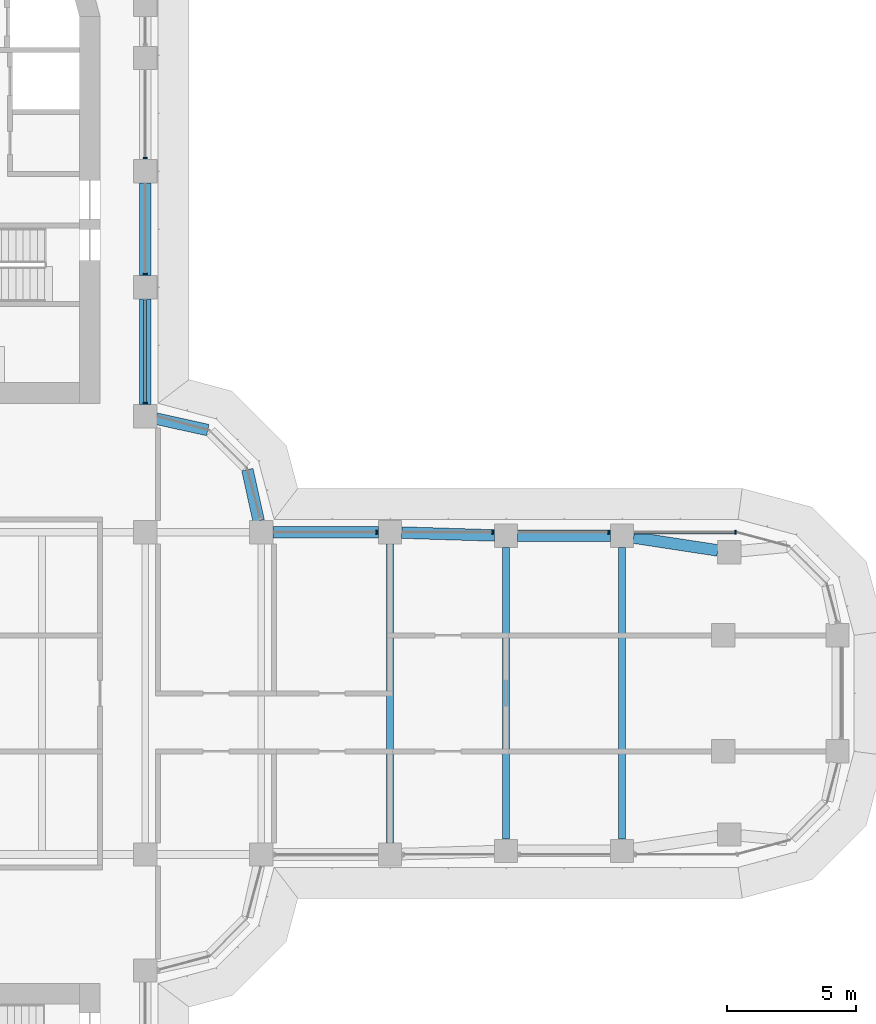
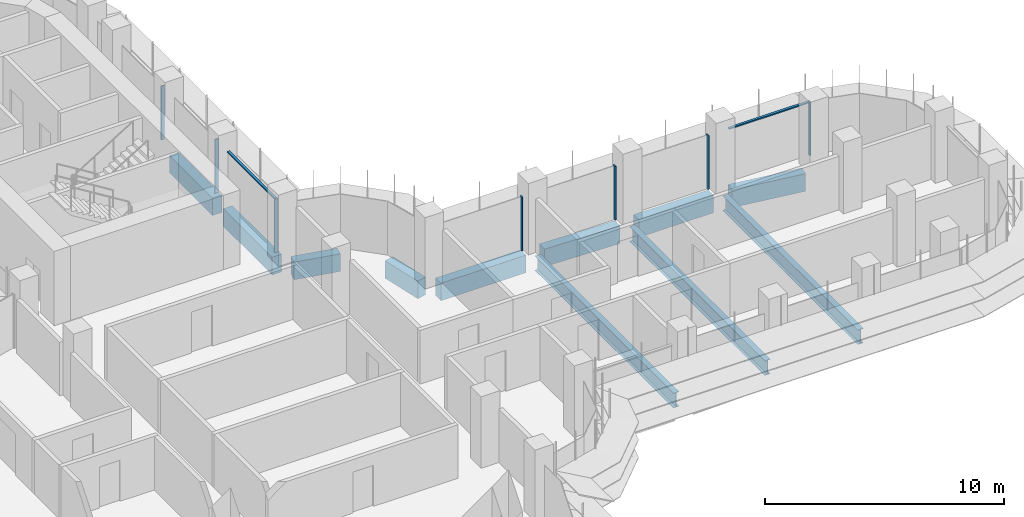
# One storey, part 8 of 22: 11 beams, 9 members, 2 elements without a shape of their own.
"""IFC4 building model written with IfcOpenShell, lengths in metres."""

import ifcopenshell
import ifcopenshell.guid

model = None  # the IFC model being written
_history = None  # IfcOwnerHistory: only IFC2X3 demands one
_inside = {}  # id of a spatial element -> (the spatial element, [elements in it])
_under = {}  # id of a project, library or spatial element -> (it, [spatial elements below it])
_declared = {}  # id of a project -> (the project, [libraries it declares])
_typed = {}  # id of a type object -> (the type object, [elements of that type])
_made_of = {}  # id of a material, layer set ... -> (it, [elements and type objects made of it])


def new_model(schema):
    """Start an empty IFC model of exactly this schema.

    Asked for "IFC4X3", IfcOpenShell would pick the latest addendum, in which some entities
    have other attributes; the version numbers below select the first issue.
    IFC2X3 requires an IfcOwnerHistory on every rooted entity: one is made here for all.
    """
    global model, _history
    if schema == "IFC4X3":
        model = ifcopenshell.file(schema_version=(4, 3, 0, 0))
    else:
        model = ifcopenshell.file(schema=schema)
    _inside.clear()
    _under.clear()
    _declared.clear()
    _typed.clear()
    _made_of.clear()
    _history = None
    if model.schema == "IFC2X3":
        org = make("IfcOrganization", Name="unknown")
        user = make(
            "IfcPersonAndOrganization",
            ThePerson=make("IfcPerson", FamilyName="unknown"),
            TheOrganization=org,
        )
        app = make(
            "IfcApplication",
            ApplicationDeveloper=org,
            Version="unknown",
            ApplicationFullName="unknown",
            ApplicationIdentifier="unknown",
        )
        _history = make(
            "IfcOwnerHistory",
            OwningUser=user,
            OwningApplication=app,
            ChangeAction="ADDED",
            CreationDate=0,
        )
    return model


def make(cls, **values):
    """One entity of the class cls with the attributes given. An attribute that is None is left unset."""
    return model.create_entity(
        cls, **{name: value for name, value in values.items() if value is not None}
    )


def rooted(cls, **values):
    """An entity with a GlobalId (a new one), such as an element, a storey or a relation."""
    return make(cls, GlobalId=ifcopenshell.guid.new(), OwnerHistory=_history, **values)


def si_unit(unit_type, name, prefix=None):
    """IfcSIUnit, for example si_unit("LENGTHUNIT", "METRE", prefix="MILLI")."""
    return make("IfcSIUnit", UnitType=unit_type, Prefix=prefix, Name=name)


def assignment(units):
    """IfcUnitAssignment: the units of a project."""
    return None if units is None else make("IfcUnitAssignment", Units=units)


def point(xyz):
    """IfcCartesianPoint."""
    return None if xyz is None else make("IfcCartesianPoint", Coordinates=xyz)


def direction(xyz):
    """IfcDirection."""
    return None if xyz is None else make("IfcDirection", DirectionRatios=xyz)


def frame(location, z_axis=None, x_axis=None):
    """IfcAxis2Placement3D, a coordinate frame: its origin and axes. An axis left out is left unset."""
    return make(
        "IfcAxis2Placement3D",
        Location=point(location),
        Axis=direction(z_axis),
        RefDirection=direction(x_axis),
    )


def frame_2d(location, x_axis=None):
    """IfcAxis2Placement2D, a coordinate frame in the plane: its origin and x axis."""
    return make(
        "IfcAxis2Placement2D", Location=point(location), RefDirection=direction(x_axis)
    )


def origin():
    """The frame at (0, 0, 0) with its axes left unset."""
    return frame((0.0, 0.0, 0.0))


def origin_2d():
    """The frame at (0, 0) in the plane with its x axis left unset."""
    return frame_2d((0.0, 0.0))


def place(relative_to, where):
    """IfcLocalPlacement: puts the frame where relative to a parent placement (None: the world)."""
    return make(
        "IfcLocalPlacement", PlacementRelTo=relative_to, RelativePlacement=where
    )


def context(
    kind, dimensions, precision=None, world=None, true_north=None, identifier=None
):
    """IfcGeometricRepresentationContext, for example the 3D "Model" context."""
    return make(
        "IfcGeometricRepresentationContext",
        ContextIdentifier=identifier,
        ContextType=kind,
        CoordinateSpaceDimension=dimensions,
        Precision=precision,
        WorldCoordinateSystem=world,
        TrueNorth=true_north,
    )


def subcontext(parent, identifier, kind, view, scale=None):
    """IfcGeometricRepresentationSubContext, for example "Body" below "Model"."""
    return make(
        "IfcGeometricRepresentationSubContext",
        ContextIdentifier=identifier,
        ContextType=kind,
        ParentContext=parent,
        TargetScale=scale,
        TargetView=view,
    )


def project(units=None, contexts=None):
    """IfcProject with its units and contexts."""
    return rooted(
        "IfcProject",
        Name="project",
        RepresentationContexts=contexts,
        UnitsInContext=assignment(units),
    )


def spatial(cls, under=None, at=None, **own):
    """A site, building, storey or space (cls), placed at a placement, below another one or the project."""
    s = rooted(cls, ObjectPlacement=at, **own)
    if under is not None:
        _under.setdefault(under.id(), (under, []))[1].append(s)
    return s


def polyline(points):
    """IfcPolyline through the points."""
    return make("IfcPolyline", Points=[point(p) for p in points])


def profile(cls, at=None, kind="AREA", **sizes):
    """A parametric profile (cls). Its sizes go by their IFC names, for example OverallWidth=200.0."""
    return make(cls, ProfileType=kind, Position=at, **sizes)


def rectangle(**sizes):
    """IfcRectangleProfileDef."""
    return profile("IfcRectangleProfileDef", **sizes)


def i_section(**sizes):
    """IfcIShapeProfileDef."""
    return profile("IfcIShapeProfileDef", **sizes)


def outline(outer, holes=None, kind="AREA"):
    """IfcArbitraryClosedProfileDef: a profile drawn as a closed curve; with holes, ...WithVoids."""
    if holes is None:
        return make("IfcArbitraryClosedProfileDef", ProfileType=kind, OuterCurve=outer)
    return make(
        "IfcArbitraryProfileDefWithVoids",
        ProfileType=kind,
        OuterCurve=outer,
        InnerCurves=holes,
    )


def extrude(swept, where, along, depth):
    """IfcExtrudedAreaSolid: the profile swept, set in the frame where, extruded along a direction by depth."""
    return make(
        "IfcExtrudedAreaSolid",
        SweptArea=swept,
        Position=where,
        ExtrudedDirection=direction(along),
        Depth=depth,
    )


def shape(context_of_items, identifier, shape_type, items):
    """IfcShapeRepresentation: the items that make up one representation, for example the "Body"."""
    return make(
        "IfcShapeRepresentation",
        ContextOfItems=context_of_items,
        RepresentationIdentifier=identifier,
        RepresentationType=shape_type,
        Items=items,
    )


def source(mapping_origin, context_of_items, identifier, shape_type, items):
    """IfcRepresentationMap: a shape defined once, which mapped items show again and again."""
    return make(
        "IfcRepresentationMap",
        MappingOrigin=mapping_origin,
        MappedRepresentation=shape(context_of_items, identifier, shape_type, items),
    )


def transform(
    local_origin,
    x_axis=None,
    y_axis=None,
    z_axis=None,
    scale=None,
    scale2=None,
    scale3=None,
    uniform=True,
):
    """IfcCartesianTransformationOperator3D, or its non-uniform kind. x_axis, y_axis, z_axis: its Axis1, 2, 3."""
    if uniform:
        return make(
            "IfcCartesianTransformationOperator3D",
            Axis1=direction(x_axis),
            Axis2=direction(y_axis),
            LocalOrigin=point(local_origin),
            Scale=scale,
            Axis3=direction(z_axis),
        )
    return make(
        "IfcCartesianTransformationOperator3DnonUniform",
        Axis1=direction(x_axis),
        Axis2=direction(y_axis),
        LocalOrigin=point(local_origin),
        Scale=scale,
        Axis3=direction(z_axis),
        Scale2=scale2,
        Scale3=scale3,
    )


def mapped(mapping_source, mapping_target):
    """IfcMappedItem: shows the shape of a source again, moved by a transform."""
    return make(
        "IfcMappedItem", MappingSource=mapping_source, MappingTarget=mapping_target
    )


def material(Name=None, Category=None):
    """IfcMaterial."""
    return make("IfcMaterial", Name=Name, Category=Category)


def material_profile(
    of_material, cross_section, Name=None, Category=None, Priority=None
):
    """IfcMaterialProfile: a cross section and its material."""
    return make(
        "IfcMaterialProfile",
        Name=Name,
        Material=of_material,
        Profile=cross_section,
        Priority=Priority,
        Category=Category,
    )


def profile_set(profiles, Name=None, composite=None):
    """IfcMaterialProfileSet."""
    return make(
        "IfcMaterialProfileSet",
        Name=Name,
        MaterialProfiles=profiles,
        CompositeProfile=composite,
    )


def made_of(thing, what):
    """Note that an element or type object is made of a material, layer set ...; save() writes the relation."""
    if what is not None:
        _made_of.setdefault(what.id(), (what, []))[1].append(thing)
    return thing


def type_object(cls, material=None, **own):
    """A type object (cls), such as IfcWallType, which elements share."""
    return made_of(rooted(cls, **own), material)


def element(
    cls,
    number,
    at=None,
    inside=None,
    cuts=None,
    type_object=None,
    material=None,
    context=None,
    identifier="Body",
    shape_type=None,
    held_by="IfcProductDefinitionShape",
    body=None,
    shapes=None,
    **own,
):
    """One element of the class cls, such as IfcWall. Its Tag is "e" and its number.

    at: its placement. inside: the storey or other place that contains it. cuts: it is an
    opening in that element (IfcRelVoidsElement). A single representation is given by context,
    identifier, shape_type and body (its items); several are given by shapes. held_by: the class
    of the entity that holds the representations. save() writes the other relations.
    """
    e = rooted(cls, Tag="e%d" % number, ObjectPlacement=at, **own)
    if body is not None:
        shapes = [shape(context, identifier, shape_type, body)]
    if shapes is not None:
        e.Representation = make(held_by, Representations=shapes)
    if inside is not None:
        _inside.setdefault(inside.id(), (inside, []))[1].append(e)
    if cuts is not None:
        rooted(
            "IfcRelVoidsElement", RelatingBuildingElement=cuts, RelatedOpeningElement=e
        )
    if type_object is not None:
        _typed.setdefault(type_object.id(), (type_object, []))[1].append(e)
    return made_of(e, material)


def aggregate(whole, parts):
    """IfcRelAggregates: a whole, such as a stair, and the parts it consists of."""
    return rooted("IfcRelAggregates", RelatingObject=whole, RelatedObjects=parts)


def save(model, path):
    """Write the relations noted so far, then the file.

    IfcRelAggregates (storeys below a building ...), IfcRelContainedInSpatialStructure (elements
    in a storey), IfcRelDefinesByType, IfcRelAssociatesMaterial and IfcRelDeclares: one each for
    every whole, place, type object, material and project.
    """
    for whole, parts in _under.values():
        aggregate(whole, parts)
    for where, things in _inside.values():
        rooted(
            "IfcRelContainedInSpatialStructure",
            RelatedElements=things,
            RelatingStructure=where,
        )
    for kind, things in _typed.values():
        rooted("IfcRelDefinesByType", RelatedObjects=things, RelatingType=kind)
    for what, things in _made_of.values():
        rooted("IfcRelAssociatesMaterial", RelatedObjects=things, RelatingMaterial=what)
    for by, libraries in _declared.values():
        rooted("IfcRelDeclares", RelatingContext=by, RelatedDefinitions=libraries)
    model.write(path)


model = new_model("IFC4")

# Units and contexts
model_context = context("Model", 3, precision=1e-05, world=origin(), true_north=direction((0.0, 1.0)))
body_context = subcontext(model_context, "Body", "Model", "MODEL_VIEW")
ifc_project = project(units=[si_unit("LENGTHUNIT", "METRE"), si_unit("AREAUNIT", "SQUARE_METRE"), si_unit("VOLUMEUNIT", "CUBIC_METRE"), si_unit("PLANEANGLEUNIT", "RADIAN"), si_unit("MASSUNIT", "GRAM", prefix="KILO")], contexts=[model_context])

# Site, building, storey
site_placement = place(None, origin())
site = spatial("IfcSite", under=ifc_project, at=site_placement, CompositionType="ELEMENT")
building_placement = place(site_placement, origin())
building = spatial("IfcBuilding", under=site, at=building_placement, Name="Zarbagh Exchange Tower", CompositionType="ELEMENT")
storey_placement = place(building_placement, frame((0.0, 0.0, 94.199951171875)))
storey = spatial("IfcBuildingStorey", under=building, at=storey_placement, Name="L21", CompositionType="ELEMENT", Elevation=94.199951171875)

# Beams
ifc_material_1 = material(Name="Steel ASTM A992 Gr 50", Category="steel")
ifc_material_profile_1 = material_profile(ifc_material_1, i_section(OverallWidth=0.2666015625, OverallDepth=0.7568359375, WebThickness=0.013916015625, FlangeThickness=0.019287109375, at=origin_2d()), Name="W30X108")
ifc_profile_set_1 = profile_set([ifc_material_profile_1], Name="Steel ASTM A992 Gr 50")
beam_type_1 = type_object("IfcBeamType", Name="Floor beam W30X108", PredefinedType="BEAM", material=ifc_profile_set_1)
beam_1_placement = place(storey_placement, frame((15.75, -5.800048828125, -0.5283203125), z_axis=(0.0, 1.0, 0.0), x_axis=(-1.0, 0.0, 0.0)))
element("IfcBeam", 1, at=beam_1_placement, inside=storey, type_object=beam_type_1, Name="Steel floor beam", PredefinedType="BEAM", context=body_context, shape_type="SweptSolid", body=[
    extrude(i_section(OverallWidth=0.2666015625, OverallDepth=0.7568359375, WebThickness=0.013916015625, FlangeThickness=0.019287109375, at=origin_2d()), origin(), (0.0, 0.0, 1.0), 11.60009765625),
])
for number, where, z_axis, x_axis, name in (
    (2, (20.25, -5.659912109375, -0.5283203125), (0.0, 1.0, 0.0), (-1.0, 0.0, 0.0), "Steel floor beam"),
    (3, (24.75, -5.659912109375, -0.5283203125), (0.0, 1.0, 0.0), (-1.0, 0.0, 0.0), "Steel floor beam"),
):
    element("IfcBeam", number, at=place(storey_placement, frame(where, z_axis=z_axis, x_axis=x_axis)), inside=storey, type_object=beam_type_1, Name=name, PredefinedType="BEAM", context=body_context, shape_type="SweptSolid", body=[
        extrude(i_section(OverallWidth=0.2666015625, OverallDepth=0.7568359375, WebThickness=0.013916015625, FlangeThickness=0.019287109375, at=origin_2d()), origin(), (0.0, 0.0, 1.0), 11.31982421875),
    ])
ifc_material_2 = material(Name="Concrete C60/75", Category="concrete")
ifc_material_profile_2 = material_profile(ifc_material_2, rectangle(XDim=0.449951171875, YDim=0.89990234375, at=origin_2d()), Name="RC spandrel beam 450 x 900 C60/75")
ifc_profile_set_2 = profile_set([ifc_material_profile_2], Name="Concrete C60/75")
beam_type_2 = type_object("IfcBeamType", Name="RC spandrel beam 450 x 900 C60/75", PredefinedType="SPANDREL", material=ifc_profile_set_2)
beam_2_placement = place(storey_placement, frame((6.25, 19.800048828125, -0.599853515625), z_axis=(0.0, -1.0, 0.0), x_axis=(1.0, 0.0, 0.0)))
element("IfcBeam", 4, at=beam_2_placement, inside=storey, type_object=beam_type_2, Name="RC spandrel beam", PredefinedType="SPANDREL", context=body_context, shape_type="SweptSolid", body=[
    extrude(rectangle(XDim=0.449951171875, YDim=0.89990234375, at=origin_2d()), origin(), (0.0, 0.0, 1.0), 3.60009765625),
])
beam_3_placement = place(storey_placement, frame((6.25, 15.300048828125, -0.599853515625), z_axis=(0.0, -1.0, 0.0), x_axis=(1.0, 0.0, 0.0)))
element("IfcBeam", 5, at=beam_3_placement, inside=storey, type_object=beam_type_2, Name="RC spandrel beam", PredefinedType="SPANDREL", context=body_context, shape_type="SweptSolid", body=[
    extrude(rectangle(XDim=0.449951171875, YDim=0.89990234375, at=origin_2d()), origin(), (0.0, 0.0, 1.0), 4.10009765625),
])
for number, where, z_axis, x_axis, name in (
    (6, (6.689453125, 10.65283203125, -0.599853515625), (0.976367325525, -0.216117666208, 0.0), (0.216117666208, 0.976367325525, 0.0), "RC spandrel beam"),
    (7, (10.212890625, 8.677001953125, -0.599853515625), (0.216117666208, -0.976367325525, 0.0), (0.976367325525, 0.216117666208, 0.0), "RC spandrel beam"),
):
    element("IfcBeam", number, at=place(storey_placement, frame(where, z_axis=z_axis, x_axis=x_axis)), inside=storey, type_object=beam_type_2, Name=name, PredefinedType="SPANDREL", context=body_context, shape_type="SweptSolid", body=[
        extrude(rectangle(XDim=0.449951171875, YDim=0.89990234375, at=origin_2d()), origin(), (0.0, 0.0, 1.0), 2.03564453125),
    ])
beam_4_placement = place(storey_placement, frame((11.199951171875, 6.25, -0.599853515625), z_axis=(1.0, 0.0, 0.0), x_axis=(0.0, 1.0, 0.0)))
element("IfcBeam", 8, at=beam_4_placement, inside=storey, type_object=beam_type_2, Name="RC spandrel beam", PredefinedType="SPANDREL", context=body_context, shape_type="SweptSolid", body=[
    extrude(rectangle(XDim=0.449951171875, YDim=0.89990234375, at=origin_2d()), origin(), (0.0, 0.0, 1.0), 4.10009765625),
])
beam_5_placement = place(storey_placement, frame((16.19970703125, 6.236083984375, -0.599853515625), z_axis=(0.999516035224, -0.031107801747, 0.0), x_axis=(0.031107801747, 0.999516035224, 0.0)))
element("IfcBeam", 9, at=beam_5_placement, inside=storey, type_object=beam_type_2, Name="RC spandrel beam", PredefinedType="SPANDREL", context=body_context, shape_type="SweptSolid", body=[
    extrude(rectangle(XDim=0.449951171875, YDim=0.89990234375, at=origin_2d()), origin(), (0.0, 0.0, 1.0), 3.602294921875),
])
beam_6_placement = place(storey_placement, frame((20.699951171875, 6.110107421875, -0.599853515625), z_axis=(1.0, 0.0, 0.0), x_axis=(0.0, 1.0, 0.0)))
element("IfcBeam", 10, at=beam_6_placement, inside=storey, type_object=beam_type_2, Name="RC spandrel beam", PredefinedType="SPANDREL", context=body_context, shape_type="SweptSolid", body=[
    extrude(rectangle(XDim=0.449951171875, YDim=0.89990234375, at=origin_2d()), origin(), (0.0, 0.0, 1.0), 3.60009765625),
])
beam_7_placement = place(storey_placement, frame((25.19482421875, 6.0419921875, -0.599853515625), z_axis=(0.988543505948, -0.150936201252, 0.0), x_axis=(0.150936201252, 0.988543505948, 0.0)))
element("IfcBeam", 11, at=beam_7_placement, inside=storey, type_object=beam_type_2, Name="RC spandrel beam", PredefinedType="SPANDREL", context=body_context, shape_type="SweptSolid", body=[
    extrude(rectangle(XDim=0.449951171875, YDim=0.89990234375, at=origin_2d()), origin(), (0.0, 0.0, 1.0), 3.30615234375),
])

# Curtain wall, members
ifc_material_3 = material(Name="Anodised aluminium frame and glazing", Category="aluminium")
curtain_wall_type = type_object("IfcCurtainWallType", Name="CWA Ribbon glazing, lower zones", PredefinedType="NOTDEFINED", material=ifc_material_3)
curtain_wall_1_placement = place(storey_placement, origin())
curtain_wall_1 = element("IfcCurtainWall", 12, at=curtain_wall_1_placement, inside=storey, type_object=curtain_wall_type, Name="CWA16 curtain wall", PredefinedType="NOTDEFINED")
ifc_material_4 = material(Name="Anodised aluminium frame", Category="aluminium")
member_type_1 = type_object("IfcMemberType", Name="MUA Mullion, anodised aluminium frame", PredefinedType="MULLION", material=ifc_material_4)
shared_shape_1 = source(origin(), body_context, "Body", "SweptSolid", [
    extrude(outline(polyline([(0.0, -0.080078125), (0.06005859375, -0.080078125), (0.06005859375, 0.080078125), (0.0, 0.080078125), (0.0, -0.080078125)])), origin(), (0.0, 0.0, 1.0), 2.75),
])
placement = place(storey_placement, origin())
member_1 = element("IfcMember", 13, at=placement, type_object=member_type_1, Name="CWA16 mullion 1.1", PredefinedType="MULLION", context=body_context, shape_type="MappedRepresentation", body=[
    mapped(shared_shape_1, transform((29.18408203125, 6.25, 0.0), x_axis=(-1.0, 0.0, 0.0), y_axis=(0.0, -1.0, 0.0), z_axis=(0.0, 0.0, 1.0))),
])
member_2 = element("IfcMember", 14, at=placement, type_object=member_type_1, Name="CWA16 mullion 2.1", PredefinedType="MULLION", context=body_context, shape_type="MappedRepresentation", body=[
    mapped(shared_shape_1, transform((24.260009765625, 6.25, 0.0), x_axis=(-1.0, 0.0, 0.0), y_axis=(0.0, -1.0, 0.0), z_axis=(0.0, 0.0, 1.0))),
])
member_3 = element("IfcMember", 15, at=placement, type_object=member_type_1, Name="CWA16 mullion 3.1", PredefinedType="MULLION", context=body_context, shape_type="MappedRepresentation", body=[
    mapped(shared_shape_1, transform((19.760009765625, 6.25, 0.0), x_axis=(-1.0, 0.0, 0.0), y_axis=(0.0, -1.0, 0.0), z_axis=(0.0, 0.0, 1.0))),
])
member_4 = element("IfcMember", 16, at=placement, type_object=member_type_1, Name="CWA16 mullion 4.1", PredefinedType="MULLION", context=body_context, shape_type="MappedRepresentation", body=[
    mapped(shared_shape_1, transform((15.260009765625, 6.25, 0.0), x_axis=(-1.0, 0.0, 0.0), y_axis=(0.0, -1.0, 0.0), z_axis=(0.0, 0.0, 1.0))),
])

curtain_wall_2_placement = place(storey_placement, origin())
curtain_wall_2 = element("IfcCurtainWall", 17, at=curtain_wall_2_placement, inside=storey, type_object=curtain_wall_type, Name="CWA49 curtain wall", PredefinedType="NOTDEFINED")
member_5 = element("IfcMember", 18, at=placement, type_object=member_type_1, Name="CWA49 mullion 1.1", PredefinedType="MULLION", context=body_context, shape_type="MappedRepresentation", body=[
    mapped(shared_shape_1, transform((6.25, 11.239990234375, 0.0), x_axis=(0.0, 1.0, 0.0), y_axis=(-1.0, 0.0, 0.0), z_axis=(0.0, 0.0, 1.0))),
])
member_6 = element("IfcMember", 19, at=placement, type_object=member_type_1, Name="CWA49 mullion 2.1", PredefinedType="MULLION", context=body_context, shape_type="MappedRepresentation", body=[
    mapped(shared_shape_1, transform((6.25, 16.239990234375, 0.0), x_axis=(0.0, 1.0, 0.0), y_axis=(-1.0, 0.0, 0.0), z_axis=(0.0, 0.0, 1.0))),
])
member_7 = element("IfcMember", 20, at=placement, type_object=member_type_1, Name="CWA49 mullion 3.1", PredefinedType="MULLION", context=body_context, shape_type="MappedRepresentation", body=[
    mapped(shared_shape_1, transform((6.25, 20.739990234375, 0.0), x_axis=(0.0, 1.0, 0.0), y_axis=(-1.0, 0.0, 0.0), z_axis=(0.0, 0.0, 1.0))),
])
member_type_2 = type_object("IfcMemberType", Name="TRA Transom, anodised aluminium frame", PredefinedType="USERDEFINED", material=ifc_material_4)
shared_shape_2 = source(origin(), body_context, "Body", "SweptSolid", [
    extrude(outline(polyline([(-0.06005859375, -0.06005859375), (0.0, -0.06005859375), (0.0, 0.06005859375), (-0.06005859375, 0.06005859375), (-0.06005859375, -0.06005859375)])), origin(), (0.0, 0.0, 1.0), 3.9599609375),
])
member_8 = element("IfcMember", 21, at=placement, type_object=member_type_2, Name="CWA49 transom 1.1", ObjectType="TRANSOM", PredefinedType="USERDEFINED", context=body_context, shape_type="MappedRepresentation", body=[
    mapped(shared_shape_2, transform((6.25, 11.300048828125, 2.75), x_axis=(0.0, 0.0, 1.0), y_axis=(1.0, 0.0, 0.0), z_axis=(0.0, 1.0, 0.0))),
])
aggregate(curtain_wall_2, [member_5, member_8, member_6, member_7])

# Member
shared_shape_3 = source(origin(), body_context, "Body", "SweptSolid", [
    extrude(outline(polyline([(-0.06005859375, -0.06005859375), (0.0, -0.06005859375), (0.0, 0.06005859375), (-0.06005859375, 0.06005859375), (-0.06005859375, -0.06005859375)])), origin(), (0.0, 0.0, 1.0), 3.88427734375),
])
member_9 = element("IfcMember", 22, at=placement, type_object=member_type_2, Name="CWA16 transom 1.1", ObjectType="TRANSOM", PredefinedType="USERDEFINED", context=body_context, shape_type="MappedRepresentation", body=[
    mapped(shared_shape_3, transform((29.124267578125, 6.25, 2.75), x_axis=(0.0, 0.0, 1.0), y_axis=(0.0, 1.0, 0.0), z_axis=(-1.0, 0.0, 0.0))),
])

aggregate(curtain_wall_1, [member_1, member_9, member_2, member_3, member_4])

save(model, "model.ifc")
